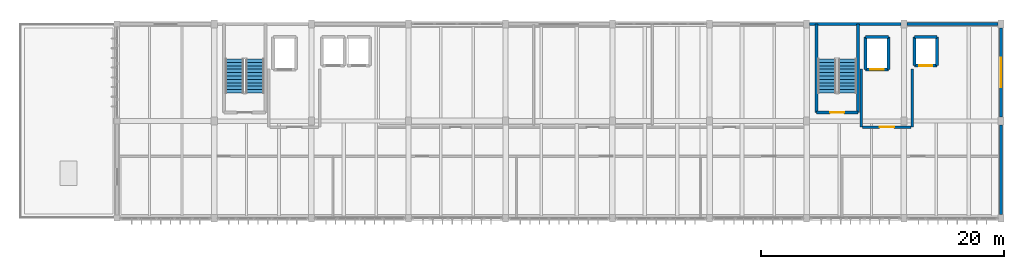
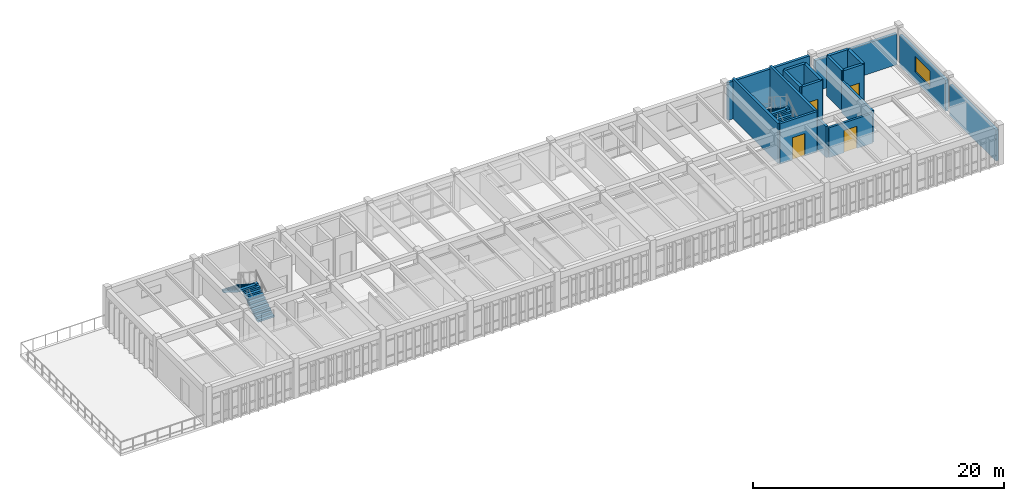
# One storey, part 12 of 15: 18 walls, 4 doors, 4 stair flights, 1 window, 5 openings, 2 elements without a shape of their own.
"""IFC4 building model written with IfcOpenShell, lengths in metres."""

from ifc_helpers import new_model, si_unit, direction, frame, frame_2d, origin, place, context, subcontext, project, spatial, polyline, rectangle, outline, extrude, material, layer, layer_set, type_object, element, fill, aggregate, save


model = new_model("IFC4")

# Units and contexts
model_context = context("Model", 3, precision=1e-05, world=origin(), true_north=direction((0.0, 1.0)))
body_context = subcontext(model_context, "Body", "Model", "MODEL_VIEW")
ifc_project = project(units=[si_unit("LENGTHUNIT", "METRE"), si_unit("AREAUNIT", "SQUARE_METRE"), si_unit("VOLUMEUNIT", "CUBIC_METRE"), si_unit("PLANEANGLEUNIT", "RADIAN"), si_unit("MASSUNIT", "GRAM", prefix="KILO")], contexts=[model_context])

# Site, building, storey
site_placement = place(None, origin())
site = spatial("IfcSite", under=ifc_project, at=site_placement, CompositionType="ELEMENT")
building_placement = place(site_placement, origin())
building = spatial("IfcBuilding", under=site, at=building_placement, Name="Tlaxcora Railside Police Headquarters", CompositionType="ELEMENT")
storey_placement = place(building_placement, frame((0.0, 0.0, 25.800048828125)))
storey = spatial("IfcBuildingStorey", under=building, at=storey_placement, Name="L06", CompositionType="ELEMENT", Elevation=25.800048828125)

# Wall, opening, door
ifc_material_1 = material(Name="Pressed clay brick masonry", Category="masonry")
ifc_layer_1 = layer(ifc_material_1, 0.199951171875, Name="Pressed clay brick masonry")
ifc_layer_set_1 = layer_set([ifc_layer_1], Name="Pressed clay brick masonry")
wall_type_1 = type_object("IfcWallType", Name="Interior Partition Wall IW-60", PredefinedType="PARTITIONING", material=ifc_layer_set_1)
wall_1_placement = place(storey_placement, frame((74.60009765625, 84.300048828125, 0.0), z_axis=(0.0, 0.0, 1.0), x_axis=(1.0, 0.0, 0.0)))
wall_1 = element("IfcWall", 1, at=wall_1_placement, inside=storey, type_object=wall_type_1, Name="V5 L06 interior partition 238", PredefinedType="PARTITIONING", context=body_context, shape_type="SweptSolid", body=[
    extrude(rectangle(XDim=4.0, YDim=0.199951171875, at=frame_2d((2.0, 0.0))), origin(), (0.0, 0.0, 1.0), 2.89501953125),
])
opening_1_placement = place(wall_1_placement, frame((1.39990234375, 0.0, 0.0)))
opening_1 = element("IfcOpeningElement", 2, at=opening_1_placement, cuts=wall_1, Name="Opening D-L06-256", PredefinedType="OPENING", context=body_context, shape_type="SweptSolid", body=[
    extrude(rectangle(XDim=1.199951171875, YDim=2.14990234375, at=frame_2d((0.60009765625, 1.074951171875))), frame((0.0, 0.10986328125, 0.0), z_axis=(0.0, -1.0, 0.0), x_axis=(1.0, 0.0, 0.0)), (0.0, 0.0, 1.0), 0.219970703125),
])
ifc_material_2 = material(Name="Steel ASTM A992 Grade 50", Category="steel")
door_type_1 = type_object("IfcDoorType", Name="Swing or Sliding Personnel Door ID-14", OperationType="NOTDEFINED", PredefinedType="DOOR", material=ifc_material_2)
door_1_placement = place(opening_1_placement, origin())
door_1 = element("IfcDoor", 3, at=door_1_placement, inside=storey, type_object=door_type_1, Name="V5 L06 door D-L06-256", OperationType="DOUBLE_DOOR_SINGLE_SWING", OverallHeight=2.14990234375, OverallWidth=1.199951171875, PredefinedType="DOOR", context=body_context, shape_type="SweptSolid", body=[
    extrude(rectangle(XDim=1.199951171875, YDim=2.14990234375, at=frame_2d((0.60009765625, 1.074951171875))), frame((0.0, 0.02490234375, 0.0), z_axis=(0.0, -1.0, 0.0), x_axis=(1.0, 0.0, 0.0)), (0.0, 0.0, 1.0), 0.050048828125),
])
fill(opening_1, door_1)

# Walls
wall_2_placement = place(storey_placement, frame((74.5, 84.300048828125, 0.0), z_axis=(0.0, 0.0, 1.0), x_axis=(0.0, 1.0, 0.0)))
element("IfcWall", 4, at=wall_2_placement, inside=storey, type_object=wall_type_1, Name="V5 L06 interior partition 239", PredefinedType="PARTITIONING", context=body_context, shape_type="SweptSolid", body=[
    extrude(rectangle(XDim=4.800048828125, YDim=0.199951171875, at=frame_2d((2.39990234375, 0.0))), origin(), (0.0, 0.0, 1.0), 3.044921875),
])
wall_3_placement = place(storey_placement, frame((78.699951171875, 84.300048828125, 0.0), z_axis=(0.0, 0.0, 1.0), x_axis=(0.0, 1.0, 0.0)))
element("IfcWall", 5, at=wall_3_placement, inside=storey, type_object=wall_type_1, Name="V5 L06 interior partition 240", PredefinedType="PARTITIONING", context=body_context, shape_type="SweptSolid", body=[
    extrude(rectangle(XDim=4.800048828125, YDim=0.199951171875, at=frame_2d((2.39990234375, 0.0))), origin(), (0.0, 0.0, 1.0), 3.094970703125),
])

# Wall, opening, door
ifc_material_3 = material(Name="Concrete C40/50", Category="concrete")
ifc_layer_2 = layer(ifc_material_3, 0.25, Name="Concrete C40/50")
ifc_layer_set_2 = layer_set([ifc_layer_2], Name="Concrete C40/50")
wall_type_2 = type_object("IfcWallType", Name="Shear Core Wall IW-13", PredefinedType="SHEAR", material=ifc_layer_set_2)
wall_4_placement = place(storey_placement, frame((74.860107421875, 89.06005859375, 0.0), z_axis=(0.0, 0.0, 1.0), x_axis=(1.0, 0.0, 0.0)))
wall_4 = element("IfcWall", 6, at=wall_4_placement, inside=storey, type_object=wall_type_2, Name="Lift FFL-02 L06 shaft wall S", PredefinedType="SHEAR", context=body_context, shape_type="SweptSolid", body=[
    extrude(rectangle(XDim=1.8798828125, YDim=0.25, at=frame_2d((0.93994140625, 0.0))), origin(), (0.0, 0.0, 1.0), 3.89990234375),
])
opening_2_placement = place(wall_4_placement, frame((0.389892578125, 0.0, 0.0)))
opening_2 = element("IfcOpeningElement", 7, at=opening_2_placement, cuts=wall_4, Name="Opening LD-FFL-02-L06", PredefinedType="OPENING", context=body_context, shape_type="SweptSolid", body=[
    extrude(rectangle(XDim=1.10009765625, YDim=2.199951171875, at=frame_2d((0.550048828125, 1.10009765625))), frame((0.0, 0.135009765625, 0.0), z_axis=(0.0, -1.0, 0.0), x_axis=(1.0, 0.0, 0.0)), (0.0, 0.0, 1.0), 0.27001953125),
])
door_type_2 = type_object("IfcDoorType", Name="Swing or Sliding Personnel Door ID-15", OperationType="NOTDEFINED", PredefinedType="DOOR", material=ifc_material_2)
door_2_placement = place(opening_2_placement, origin())
door_2 = element("IfcDoor", 8, at=door_2_placement, inside=storey, type_object=door_type_2, Name="Lift FFL-02 L06 sliding landing door", OperationType="DOUBLE_DOOR_SLIDING", OverallHeight=2.199951171875, OverallWidth=1.10009765625, PredefinedType="DOOR", context=body_context, shape_type="SweptSolid", body=[
    extrude(rectangle(XDim=1.10009765625, YDim=2.199951171875, at=frame_2d((0.550048828125, 1.10009765625))), frame((0.0, 0.02490234375, 0.0), z_axis=(0.0, -1.0, 0.0), x_axis=(1.0, 0.0, 0.0)), (0.0, 0.0, 1.0), 0.050048828125),
])
fill(opening_2, door_2)

# Walls
wall_5_placement = place(storey_placement, frame((76.739990234375, 89.06005859375, 0.0), z_axis=(0.0, 0.0, 1.0), x_axis=(0.0, 1.0, 0.0)))
element("IfcWall", 9, at=wall_5_placement, inside=storey, type_object=wall_type_2, Name="Lift FFL-02 L06 shaft wall E", PredefinedType="SHEAR", context=body_context, shape_type="SweptSolid", body=[
    extrude(rectangle(XDim=2.679931640625, YDim=0.25, at=frame_2d((1.33984375, 0.0))), origin(), (0.0, 0.0, 1.0), 3.89990234375),
])
wall_6_placement = place(storey_placement, frame((76.739990234375, 91.739990234375, 0.0), z_axis=(0.0, 0.0, 1.0), x_axis=(-1.0, 0.0, 0.0)))
element("IfcWall", 10, at=wall_6_placement, inside=storey, type_object=wall_type_2, Name="Lift FFL-02 L06 shaft wall N", PredefinedType="SHEAR", context=body_context, shape_type="SweptSolid", body=[
    extrude(rectangle(XDim=1.8798828125, YDim=0.25, at=frame_2d((0.93994140625, 0.0))), origin(), (0.0, 0.0, 1.0), 3.89990234375),
])
wall_7_placement = place(storey_placement, frame((74.860107421875, 91.739990234375, 0.0), z_axis=(0.0, 0.0, 1.0), x_axis=(0.0, -1.0, 0.0)))
element("IfcWall", 11, at=wall_7_placement, inside=storey, type_object=wall_type_2, Name="Lift FFL-02 L06 shaft wall W", PredefinedType="SHEAR", context=body_context, shape_type="SweptSolid", body=[
    extrude(rectangle(XDim=2.679931640625, YDim=0.25, at=frame_2d((1.33984375, 0.0))), origin(), (0.0, 0.0, 1.0), 3.89990234375),
])

# Wall, opening, door
wall_8_placement = place(storey_placement, frame((78.860107421875, 89.360107421875, 0.0), z_axis=(0.0, 0.0, 1.0), x_axis=(1.0, 0.0, 0.0)))
wall_8 = element("IfcWall", 12, at=wall_8_placement, inside=storey, type_object=wall_type_2, Name="Lift PL-03 L06 shaft wall S", PredefinedType="SHEAR", context=body_context, shape_type="SweptSolid", body=[
    extrude(rectangle(XDim=1.8798828125, YDim=0.25, at=frame_2d((0.93994140625, 0.0))), origin(), (0.0, 0.0, 1.0), 3.89990234375),
])
opening_3_placement = place(wall_8_placement, frame((0.389892578125, 0.0, 0.0)))
opening_3 = element("IfcOpeningElement", 13, at=opening_3_placement, cuts=wall_8, Name="Opening LD-PL-03-L06", PredefinedType="OPENING", context=body_context, shape_type="SweptSolid", body=[
    extrude(rectangle(XDim=1.10009765625, YDim=2.199951171875, at=frame_2d((0.550048828125, 1.10009765625))), frame((0.0, 0.135009765625, 0.0), z_axis=(0.0, -1.0, 0.0), x_axis=(1.0, 0.0, 0.0)), (0.0, 0.0, 1.0), 0.27001953125),
])
door_3_placement = place(opening_3_placement, origin())
door_3 = element("IfcDoor", 14, at=door_3_placement, inside=storey, type_object=door_type_2, Name="Lift PL-03 L06 sliding landing door", OperationType="DOUBLE_DOOR_SLIDING", OverallHeight=2.199951171875, OverallWidth=1.10009765625, PredefinedType="DOOR", context=body_context, shape_type="SweptSolid", body=[
    extrude(rectangle(XDim=1.10009765625, YDim=2.199951171875, at=frame_2d((0.550048828125, 1.10009765625))), frame((0.0, 0.02490234375, 0.0), z_axis=(0.0, -1.0, 0.0), x_axis=(1.0, 0.0, 0.0)), (0.0, 0.0, 1.0), 0.050048828125),
])
fill(opening_3, door_3)

# Walls
wall_9_placement = place(storey_placement, frame((80.739990234375, 89.360107421875, 0.0), z_axis=(0.0, 0.0, 1.0), x_axis=(0.0, 1.0, 0.0)))
element("IfcWall", 15, at=wall_9_placement, inside=storey, type_object=wall_type_2, Name="Lift PL-03 L06 shaft wall E", PredefinedType="SHEAR", context=body_context, shape_type="SweptSolid", body=[
    extrude(rectangle(XDim=2.3798828125, YDim=0.25, at=frame_2d((1.18994140625, 0.0))), origin(), (0.0, 0.0, 1.0), 3.89990234375),
])
wall_10_placement = place(storey_placement, frame((80.739990234375, 91.739990234375, 0.0), z_axis=(0.0, 0.0, 1.0), x_axis=(-1.0, 0.0, 0.0)))
element("IfcWall", 16, at=wall_10_placement, inside=storey, type_object=wall_type_2, Name="Lift PL-03 L06 shaft wall N", PredefinedType="SHEAR", context=body_context, shape_type="SweptSolid", body=[
    extrude(rectangle(XDim=1.8798828125, YDim=0.25, at=frame_2d((0.93994140625, 0.0))), origin(), (0.0, 0.0, 1.0), 3.89990234375),
])
wall_11_placement = place(storey_placement, frame((78.860107421875, 91.739990234375, 0.0), z_axis=(0.0, 0.0, 1.0), x_axis=(0.0, -1.0, 0.0)))
element("IfcWall", 17, at=wall_11_placement, inside=storey, type_object=wall_type_2, Name="Lift PL-03 L06 shaft wall W", PredefinedType="SHEAR", context=body_context, shape_type="SweptSolid", body=[
    extrude(rectangle(XDim=2.3798828125, YDim=0.25, at=frame_2d((1.18994140625, 0.0))), origin(), (0.0, 0.0, 1.0), 3.89990234375),
])

# Wall, opening, door
ifc_layer_3 = layer(ifc_material_3, 0.219970703125, Name="Concrete C40/50")
ifc_layer_set_3 = layer_set([ifc_layer_3], Name="Concrete C40/50")
wall_type_3 = type_object("IfcWallType", Name="Shear Core Wall IW-35", PredefinedType="SHEAR", material=ifc_layer_set_3)
wall_12_placement = place(storey_placement, frame((70.800048828125, 85.5, 0.0), z_axis=(0.0, 0.0, 1.0), x_axis=(1.0, 0.0, 0.0)))
wall_12 = element("IfcWall", 18, at=wall_12_placement, inside=storey, type_object=wall_type_3, Name="CORE-C2 L06 stair core wall S", PredefinedType="SHEAR", context=body_context, shape_type="SweptSolid", body=[
    extrude(rectangle(XDim=3.419921875, YDim=0.219970703125, at=frame_2d((1.7099609375, 0.0))), origin(), (0.0, 0.0, 1.0), 3.89990234375),
])
opening_4_placement = place(wall_12_placement, frame((1.135009765625, 0.0, 0.0)))
opening_4 = element("IfcOpeningElement", 19, at=opening_4_placement, cuts=wall_12, Name="Opening SD-L06-017", PredefinedType="OPENING", context=body_context, shape_type="SweptSolid", body=[
    extrude(rectangle(XDim=1.14990234375, YDim=2.14990234375, at=frame_2d((0.574951171875, 1.074951171875))), frame((0.0, 0.1201171875, 0.0), z_axis=(0.0, -1.0, 0.0), x_axis=(1.0, 0.0, 0.0)), (0.0, 0.0, 1.0), 0.239990234375),
])
door_type_3 = type_object("IfcDoorType", Name="Swing or Sliding Personnel Door ID-73", OperationType="NOTDEFINED", PredefinedType="DOOR", material=ifc_material_2)
door_4_placement = place(opening_4_placement, origin())
door_4 = element("IfcDoor", 20, at=door_4_placement, inside=storey, type_object=door_type_3, Name="Stair ST2 L06 enclosure fire door", OperationType="SINGLE_SWING_LEFT", OverallHeight=2.14990234375, OverallWidth=1.14990234375, PredefinedType="DOOR", context=body_context, shape_type="SweptSolid", body=[
    extrude(rectangle(XDim=1.14990234375, YDim=2.14990234375, at=frame_2d((0.574951171875, 1.074951171875))), frame((0.0, 0.02490234375, 0.0), z_axis=(0.0, -1.0, 0.0), x_axis=(1.0, 0.0, 0.0)), (0.0, 0.0, 1.0), 0.050048828125),
])
fill(opening_4, door_4)

# Walls
for number, where, z_axis, x_axis, name in (
    (21, (74.219970703125, 85.5, 0.0), (0.0, 0.0, 1.0), (0.0, 1.0, 0.0), "CORE-C2 L06 stair core wall E"),
    (22, (70.800048828125, 92.800048828125, 0.0), (0.0, 0.0, 1.0), (0.0, -1.0, 0.0), "CORE-C2 L06 stair core wall W"),
):
    element("IfcWall", number, at=place(storey_placement, frame(where, z_axis=z_axis, x_axis=x_axis)), inside=storey, type_object=wall_type_3, Name=name, PredefinedType="SHEAR", context=body_context, shape_type="SweptSolid", body=[
        extrude(rectangle(XDim=7.300048828125, YDim=0.219970703125, at=frame_2d((3.64990234375, 0.0))), origin(), (0.0, 0.0, 1.0), 3.89990234375),
    ])
ifc_material_4 = material(Name="Precast concrete C40/50", Category="concrete")
ifc_layer_4 = layer(ifc_material_4, 0.2451171875, Name="Precast concrete C40/50")
ifc_layer_set_4 = layer_set([ifc_layer_4], Name="Precast concrete C40/50")
wall_type_4 = type_object("IfcWallType", Name="Structural Bearing Wall EW-94", PredefinedType="SOLIDWALL", material=ifc_layer_set_4)
wall_13_placement = place(storey_placement, frame((86.0, 77.125, 0.0), z_axis=(0.0, 0.0, 1.0), x_axis=(0.0, 1.0, 0.0)))
element("IfcWall", 23, at=wall_13_placement, inside=storey, type_object=wall_type_4, Name="V5 L06 exterior wall 1.0", PredefinedType="SOLIDWALL", context=body_context, shape_type="SweptSolid", body=[
    extrude(rectangle(XDim=7.35009765625, YDim=0.2451171875, at=frame_2d((3.675048828125, 0.0))), origin(), (0.0, 0.0, 1.0), 3.010009765625),
])

# Wall, opening, window
wall_14_placement = place(storey_placement, frame((86.0, 85.125, 0.0), z_axis=(0.0, 0.0, 1.0), x_axis=(0.0, 1.0, 0.0)))
wall_14 = element("IfcWall", 24, at=wall_14_placement, inside=storey, type_object=wall_type_4, Name="V5 L06 exterior wall 1.1", PredefinedType="SOLIDWALL", context=body_context, shape_type="SweptSolid", body=[
    extrude(rectangle(XDim=7.35009765625, YDim=0.2451171875, at=frame_2d((3.675048828125, 0.0))), origin(), (0.0, 0.0, 1.0), 3.010009765625),
])
opening_5_placement = place(wall_14_placement, frame((2.47509765625, 0.0, 0.89990234375)))
opening_5 = element("IfcOpeningElement", 25, at=opening_5_placement, cuts=wall_14, Name="Opening WN-59", PredefinedType="OPENING", context=body_context, shape_type="SweptSolid", body=[
    extrude(rectangle(XDim=2.39990234375, YDim=1.5, at=frame_2d((1.199951171875, 0.75))), frame((0.0, 0.132568359375, 0.0), z_axis=(0.0, -1.0, 0.0), x_axis=(1.0, 0.0, 0.0)), (0.0, 0.0, 1.0), 0.26513671875),
])
ifc_material_5 = material(Name="Thermally broken low-E insulated glazing", Category="glass")
window_type = type_object("IfcWindowType", Name="Exterior Framed or Circular Window WN-59", PartitioningType="SINGLE_PANEL", PredefinedType="WINDOW", material=ifc_material_5)
window_placement = place(opening_5_placement, origin())
window = element("IfcWindow", 26, at=window_placement, inside=storey, type_object=window_type, Name="V5 L06 window 149", OverallHeight=1.5, OverallWidth=2.39990234375, PartitioningType="SINGLE_PANEL", PredefinedType="WINDOW", context=body_context, shape_type="SweptSolid", body=[
    extrude(rectangle(XDim=2.39990234375, YDim=1.5, at=frame_2d((1.199951171875, 0.75))), frame((0.0, 0.030029296875, 0.0), z_axis=(0.0, -1.0, 0.0), x_axis=(1.0, 0.0, 0.0)), (0.0, 0.0, 1.0), 0.06005859375),
])
fill(opening_5, window)

# Walls
wall_15_placement = place(storey_placement, frame((85.75, 92.800048828125, 0.0), z_axis=(0.0, 0.0, 1.0), x_axis=(-1.0, 0.0, 0.0)))
element("IfcWall", 27, at=wall_15_placement, inside=storey, type_object=wall_type_4, Name="V5 L06 exterior wall 2.0", PredefinedType="SOLIDWALL", context=body_context, shape_type="SweptSolid", body=[
    extrude(rectangle(XDim=7.5, YDim=0.2451171875, at=frame_2d((3.75, 0.0))), origin(), (0.0, 0.0, 1.0), 3.010009765625),
])
wall_16_placement = place(storey_placement, frame((77.75, 92.800048828125, 0.0), z_axis=(0.0, 0.0, 1.0), x_axis=(-1.0, 0.0, 0.0)))
element("IfcWall", 28, at=wall_16_placement, inside=storey, type_object=wall_type_4, Name="V5 L06 exterior wall 2.1", PredefinedType="SOLIDWALL", context=body_context, shape_type="SweptSolid", body=[
    extrude(rectangle(XDim=7.5, YDim=0.2451171875, at=frame_2d((3.75, 0.0))), origin(), (0.0, 0.0, 1.0), 3.659912109375),
])

# Stair, stair flights
stair_type = type_object("IfcStairType", Name="Half-Turn Dog-Leg Stair ST-30", PredefinedType="HALF_TURN_STAIR", material=ifc_material_3)
stair_1_placement = place(storey_placement, origin())
stair_1 = element("IfcStair", 29, at=stair_1_placement, inside=storey, type_object=stair_type, Name="L06 ST1", PredefinedType="HALF_TURN_STAIR")
stair_flight_type = type_object("IfcStairFlightType", Name="Straight Stair Flight SF-59", PredefinedType="STRAIGHT", material=ifc_material_3)
stair_flight_1_placement = place(storey_placement, frame((24.56005859375, 87.110107421875, 0.0), z_axis=(0.0, 0.0, 1.0), x_axis=(0.0, 1.0, 0.0)))
stair_flight_1 = element("IfcStairFlight", 30, at=stair_flight_1_placement, type_object=stair_flight_type, Name="ST1 flight 1", NumberOfRisers=11, NumberOfTreads=10, PredefinedType="STRAIGHT", RiserHeight=0.177272727, TreadLength=0.28, context=body_context, shape_type="SweptSolid", body=[
    extrude(outline(polyline([(0.0, 0.0), (0.0, 0.17724609375), (0.280029296875, 0.17724609375), (0.280029296875, 0.3544921875), (0.56005859375, 0.3544921875), (0.56005859375, 0.53173828125), (0.840087890625, 0.53173828125), (0.840087890625, 0.708984375), (1.1201171875, 0.708984375), (1.1201171875, 0.886474609375), (1.39990234375, 0.886474609375), (1.39990234375, 1.063720703125), (1.679931640625, 1.063720703125), (1.679931640625, 1.240966796875), (1.9599609375, 1.240966796875), (1.9599609375, 1.418212890625), (2.239990234375, 1.418212890625), (2.239990234375, 1.595458984375), (2.52001953125, 1.595458984375), (2.52001953125, 1.772705078125), (2.800048828125, 1.772705078125), (2.800048828125, 1.949951171875), (2.800048828125, 1.59521484375), (0.2802734375, 0.0), (0.0, 0.0)])), frame((0.0, 0.75, 0.0), z_axis=(0.0, -1.0, 0.0), x_axis=(1.0, 0.0, 0.0)), (0.0, 0.0, 1.0), 1.5),
])
stair_flight_2_placement = place(storey_placement, frame((22.860107421875, 89.909912109375, 1.949951171875), z_axis=(0.0, 0.0, 1.0), x_axis=(0.0, -1.0, 0.0)))
stair_flight_2 = element("IfcStairFlight", 31, at=stair_flight_2_placement, type_object=stair_flight_type, Name="ST1 flight 2", NumberOfRisers=11, NumberOfTreads=10, PredefinedType="STRAIGHT", RiserHeight=0.177272727, TreadLength=0.28, context=body_context, shape_type="SweptSolid", body=[
    extrude(outline(polyline([(0.0, 0.0), (0.0, 0.17724609375), (0.280029296875, 0.17724609375), (0.280029296875, 0.3544921875), (0.56005859375, 0.3544921875), (0.56005859375, 0.53173828125), (0.840087890625, 0.53173828125), (0.840087890625, 0.708984375), (1.1201171875, 0.708984375), (1.1201171875, 0.886474609375), (1.39990234375, 0.886474609375), (1.39990234375, 1.063720703125), (1.679931640625, 1.063720703125), (1.679931640625, 1.240966796875), (1.9599609375, 1.240966796875), (1.9599609375, 1.418212890625), (2.239990234375, 1.418212890625), (2.239990234375, 1.595458984375), (2.52001953125, 1.595458984375), (2.52001953125, 1.772705078125), (2.800048828125, 1.772705078125), (2.800048828125, 1.949951171875), (2.800048828125, 1.59521484375), (0.2802734375, 0.0), (0.0, 0.0)])), frame((0.0, 0.75, 0.0), z_axis=(0.0, -1.0, 0.0), x_axis=(1.0, 0.0, 0.0)), (0.0, 0.0, 1.0), 1.5),
])
aggregate(stair_1, [stair_flight_1, stair_flight_2])

stair_2_placement = place(storey_placement, origin())
stair_2 = element("IfcStair", 32, at=stair_2_placement, inside=storey, type_object=stair_type, Name="L06 ST2", PredefinedType="HALF_TURN_STAIR")
stair_flight_3_placement = place(storey_placement, frame((73.360107421875, 87.110107421875, 0.0), z_axis=(0.0, 0.0, 1.0), x_axis=(0.0, 1.0, 0.0)))
stair_flight_3 = element("IfcStairFlight", 33, at=stair_flight_3_placement, type_object=stair_flight_type, Name="ST2 flight 1", NumberOfRisers=11, NumberOfTreads=10, PredefinedType="STRAIGHT", RiserHeight=0.177272727, TreadLength=0.28, context=body_context, shape_type="SweptSolid", body=[
    extrude(outline(polyline([(0.0, 0.0), (0.0, 0.17724609375), (0.280029296875, 0.17724609375), (0.280029296875, 0.3544921875), (0.56005859375, 0.3544921875), (0.56005859375, 0.53173828125), (0.840087890625, 0.53173828125), (0.840087890625, 0.708984375), (1.1201171875, 0.708984375), (1.1201171875, 0.886474609375), (1.39990234375, 0.886474609375), (1.39990234375, 1.063720703125), (1.679931640625, 1.063720703125), (1.679931640625, 1.240966796875), (1.9599609375, 1.240966796875), (1.9599609375, 1.418212890625), (2.239990234375, 1.418212890625), (2.239990234375, 1.595458984375), (2.52001953125, 1.595458984375), (2.52001953125, 1.772705078125), (2.800048828125, 1.772705078125), (2.800048828125, 1.949951171875), (2.800048828125, 1.59521484375), (0.2802734375, 0.0), (0.0, 0.0)])), frame((0.0, 0.75, 0.0), z_axis=(0.0, -1.0, 0.0), x_axis=(1.0, 0.0, 0.0)), (0.0, 0.0, 1.0), 1.5),
])
stair_flight_4_placement = place(storey_placement, frame((71.659912109375, 89.909912109375, 1.949951171875), z_axis=(0.0, 0.0, 1.0), x_axis=(0.0, -1.0, 0.0)))
stair_flight_4 = element("IfcStairFlight", 34, at=stair_flight_4_placement, type_object=stair_flight_type, Name="ST2 flight 2", NumberOfRisers=11, NumberOfTreads=10, PredefinedType="STRAIGHT", RiserHeight=0.177272727, TreadLength=0.28, context=body_context, shape_type="SweptSolid", body=[
    extrude(outline(polyline([(0.0, 0.0), (0.0, 0.17724609375), (0.280029296875, 0.17724609375), (0.280029296875, 0.3544921875), (0.56005859375, 0.3544921875), (0.56005859375, 0.53173828125), (0.840087890625, 0.53173828125), (0.840087890625, 0.708984375), (1.1201171875, 0.708984375), (1.1201171875, 0.886474609375), (1.39990234375, 0.886474609375), (1.39990234375, 1.063720703125), (1.679931640625, 1.063720703125), (1.679931640625, 1.240966796875), (1.9599609375, 1.240966796875), (1.9599609375, 1.418212890625), (2.239990234375, 1.418212890625), (2.239990234375, 1.595458984375), (2.52001953125, 1.595458984375), (2.52001953125, 1.772705078125), (2.800048828125, 1.772705078125), (2.800048828125, 1.949951171875), (2.800048828125, 1.59521484375), (0.2802734375, 0.0), (0.0, 0.0)])), frame((0.0, 0.75, 0.0), z_axis=(0.0, -1.0, 0.0), x_axis=(1.0, 0.0, 0.0)), (0.0, 0.0, 1.0), 1.5),
])
aggregate(stair_2, [stair_flight_3, stair_flight_4])

save(model, "model.ifc")
